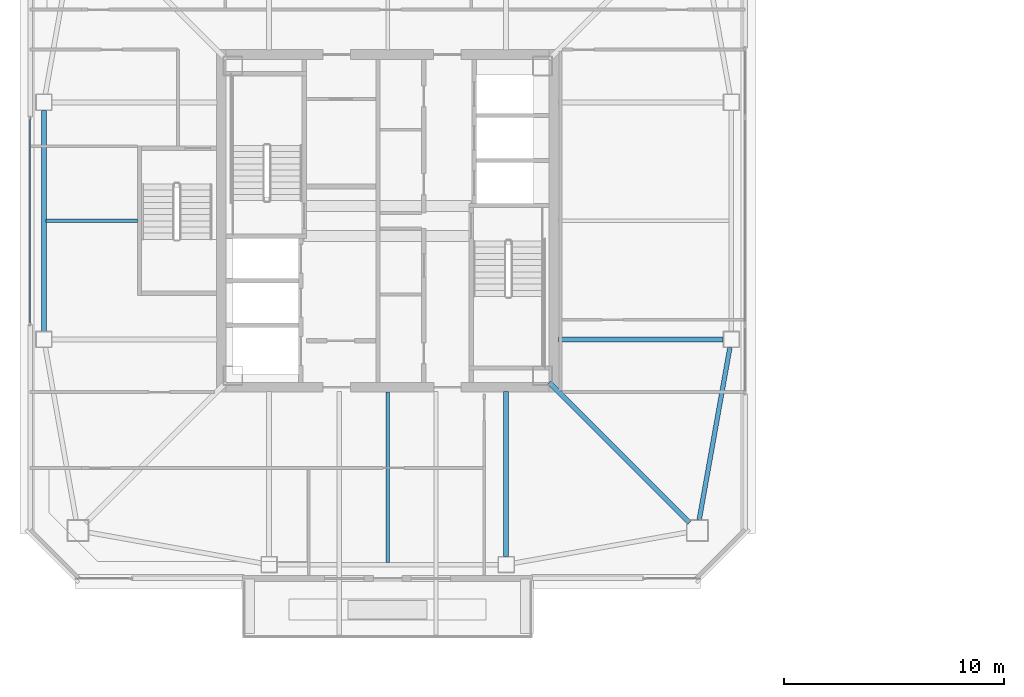
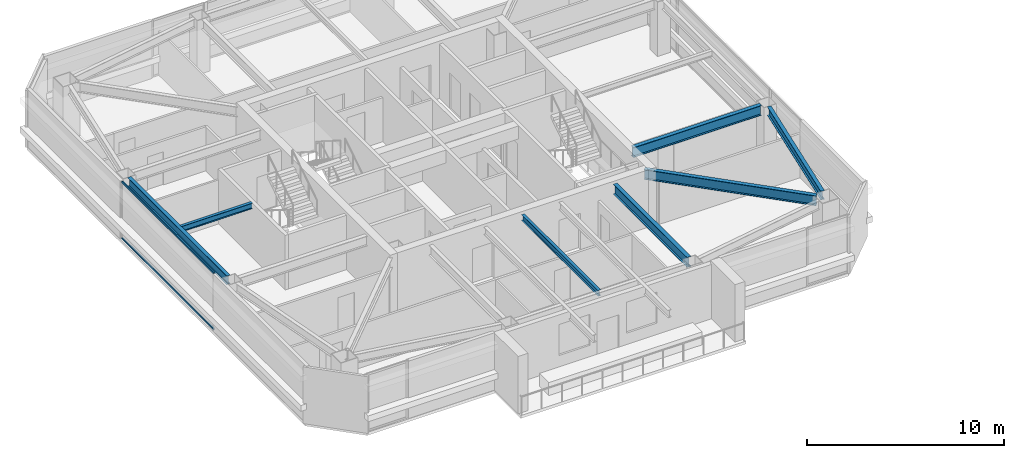
# One storey, part 8 of 40: 7 beams, 2 members, 1 element without a shape of its own.
"""IFC4 building model written with IfcOpenShell, lengths in metres."""

from ifc_helpers import new_model, si_unit, direction, frame, origin, origin_2d, place, context, subcontext, project, spatial, hollow_rectangle, i_section, extrude, material, material_profile, profile_set, type_object, element, aggregate, save


model = new_model("IFC4")

# Units and contexts
model_context = context("Model", 3, precision=1e-05, world=origin(), true_north=direction((0.0, 1.0)))
body_context = subcontext(model_context, "Body", "Model", "MODEL_VIEW")
ifc_project = project(units=[si_unit("LENGTHUNIT", "METRE"), si_unit("AREAUNIT", "SQUARE_METRE"), si_unit("VOLUMEUNIT", "CUBIC_METRE"), si_unit("PLANEANGLEUNIT", "RADIAN"), si_unit("MASSUNIT", "GRAM", prefix="KILO")], contexts=[model_context])

# Site, building, storey
site_placement = place(None, origin())
site = spatial("IfcSite", under=ifc_project, at=site_placement, CompositionType="ELEMENT")
building_placement = place(site_placement, origin())
building = spatial("IfcBuilding", under=site, at=building_placement, Name="Tashvorn Skyway Center", CompositionType="ELEMENT")
storey_placement = place(building_placement, frame((0.0, 0.0, 221.949951171875)))
storey = spatial("IfcBuildingStorey", under=building, at=storey_placement, Name="L60", CompositionType="ELEMENT", Elevation=221.949951171875)

# Beams
ifc_material_1 = material(Name="Steel ASTM A992 Grade 50", Category="steel")
ifc_material_profile_1 = material_profile(ifc_material_1, i_section(OverallWidth=0.22998046875, OverallDepth=0.616943359375, WebThickness=0.01318359375, FlangeThickness=0.022216796875, at=origin_2d()), Name="W24X94")
ifc_profile_set_1 = profile_set([ifc_material_profile_1], Name="Steel ASTM A992 Grade 50")
beam_type_1 = type_object("IfcBeamType", Name="BM-BEAM-W24X94", PredefinedType="BEAM", material=ifc_profile_set_1)
beam_1_placement = place(storey_placement, frame((55.75, 18.25, 3.0615234375), z_axis=(-0.707106781187, 0.707106781187, 0.0), x_axis=(-0.707106781187, -0.707106781187, 0.0)))
element("IfcBeam", 1, at=beam_1_placement, inside=storey, type_object=beam_type_1, Name="Tower 1 L60 Primary Floor Girder MC-SE", PredefinedType="BEAM", context=body_context, shape_type="SweptSolid", body=[
    extrude(i_section(OverallWidth=0.22998046875, OverallDepth=0.616943359375, WebThickness=0.01318359375, FlangeThickness=0.022216796875, at=origin_2d()), origin(), (0.0, 0.0, 1.0), 9.030029296875),
])
for number, where, z_axis, x_axis, name in (
    (2, (47.39990234375, 16.719970703125, 3.0615234375), (0.0, 1.0, 0.0), (-1.0, 0.0, 0.0), "Tower 1 L60 Primary Floor Girder FC-S2"),
    (3, (57.280029296875, 26.60009765625, 3.0615234375), (-1.0, 0.0, 0.0), (0.0, -1.0, 0.0), "Tower 1 L60 Primary Floor Girder FC-E1"),
):
    element("IfcBeam", number, at=place(storey_placement, frame(where, z_axis=z_axis, x_axis=x_axis)), inside=storey, type_object=beam_type_1, Name=name, PredefinedType="BEAM", context=body_context, shape_type="SweptSolid", body=[
        extrude(i_section(OverallWidth=0.22998046875, OverallDepth=0.616943359375, WebThickness=0.01318359375, FlangeThickness=0.022216796875, at=origin_2d()), origin(), (0.0, 0.0, 1.0), 7.5),
    ])
ifc_material_profile_2 = material_profile(ifc_material_1, i_section(OverallWidth=0.1708984375, OverallDepth=0.35498046875, WebThickness=0.007080078125, FlangeThickness=0.01171875, at=origin_2d()), Name="W14X34")
ifc_profile_set_2 = profile_set([ifc_material_profile_2], Name="Steel ASTM A992 Grade 50")
beam_type_2 = type_object("IfcBeamType", Name="BM-JOIST-W14X34", PredefinedType="JOIST", material=ifc_profile_set_2)
beam_2_placement = place(storey_placement, frame((42.0, 24.2099609375, 3.192626953125), z_axis=(0.0, -1.0, 0.0), x_axis=(1.0, 0.0, 0.0)))
element("IfcBeam", 4, at=beam_2_placement, inside=storey, type_object=beam_type_2, Name="Tower 1 L60 Secondary Composite Joist JS", PredefinedType="JOIST", context=body_context, shape_type="SweptSolid", body=[
    extrude(i_section(OverallWidth=0.1708984375, OverallDepth=0.35498046875, WebThickness=0.007080078125, FlangeThickness=0.01171875, at=origin_2d()), origin(), (0.0, 0.0, 1.0), 7.762451171875),
])
beam_3_placement = place(storey_placement, frame((30.610107421875, 32.0, 3.192626953125), z_axis=(-1.0, 0.0, 0.0), x_axis=(0.0, -1.0, 0.0)))
element("IfcBeam", 5, at=beam_3_placement, inside=storey, type_object=beam_type_2, Name="Tower 1 L60 Secondary Composite Joist JW", PredefinedType="JOIST", context=body_context, shape_type="SweptSolid", body=[
    extrude(i_section(OverallWidth=0.1708984375, OverallDepth=0.35498046875, WebThickness=0.007080078125, FlangeThickness=0.01171875, at=origin_2d()), origin(), (0.0, 0.0, 1.0), 4.16259765625),
])
ifc_material_profile_3 = material_profile(ifc_material_1, i_section(OverallWidth=0.2109375, OverallDepth=0.5390625, WebThickness=0.01171875, FlangeThickness=0.018798828125, at=origin_2d()), Name="W21X73")
ifc_profile_set_3 = profile_set([ifc_material_profile_3], Name="Steel ASTM A992 Grade 50")
beam_type_3 = type_object("IfcBeamType", Name="BM-SPANDREL-W21X73", PredefinedType="SPANDREL", material=ifc_profile_set_3)
beam_4_placement = place(storey_placement, frame((56.186767578125, 18.38720703125, 3.1005859375), z_axis=(0.17541329759, 0.984494883191, 0.0), x_axis=(-0.984494883191, 0.17541329759, 0.0)))
element("IfcBeam", 6, at=beam_4_placement, inside=storey, type_object=beam_type_3, Name="Tower 1 L60 Spandrel Beam 04", PredefinedType="SPANDREL", context=body_context, shape_type="SweptSolid", body=[
    extrude(i_section(OverallWidth=0.2109375, OverallDepth=0.5390625, WebThickness=0.01171875, FlangeThickness=0.018798828125, at=origin_2d()), origin(), (0.0, 0.0, 1.0), 7.97216796875),
])
beam_5_placement = place(storey_placement, frame((26.35009765625, 37.030029296875, 3.1005859375), z_axis=(0.0, -1.0, 0.0), x_axis=(1.0, 0.0, 0.0)))
element("IfcBeam", 7, at=beam_5_placement, inside=storey, type_object=beam_type_3, Name="Tower 1 L60 Spandrel Beam 11", PredefinedType="SPANDREL", context=body_context, shape_type="SweptSolid", body=[
    extrude(i_section(OverallWidth=0.2109375, OverallDepth=0.5390625, WebThickness=0.01171875, FlangeThickness=0.018798828125, at=origin_2d()), origin(), (0.0, 0.0, 1.0), 10.06005859375),
])

# Curtain wall, members
ifc_material_2 = material(Name="Thermally broken bronze-anodized aluminium 6063-T6", Category="aluminium")
curtain_wall_type = type_object("IfcCurtainWallType", Name="CW-CW-Z5", PredefinedType="NOTDEFINED", material=ifc_material_2)
curtain_wall_placement = place(storey_placement, origin())
curtain_wall = element("IfcCurtainWall", 8, at=curtain_wall_placement, inside=storey, type_object=curtain_wall_type, Name="Tower 1 L60 West Unitised Curtain Wall Glazing Group 1", PredefinedType="NOTDEFINED")
ifc_material_profile_4 = material_profile(ifc_material_2, hollow_rectangle(XDim=0.070068359375, YDim=0.114990234375, WallThickness=0.00390625, at=origin_2d()), Name="ALU-TRAN-70x115")
ifc_profile_set_4 = profile_set([ifc_material_profile_4], Name="Thermally broken bronze-anodized aluminium 6063-T6")
member_type = type_object("IfcMemberType", Name="CWT-CW-Z5", PredefinedType="USERDEFINED", material=ifc_profile_set_4)
member_1_placement = place(storey_placement, frame((25.719970703125, 27.34326171875, 0.03515625), z_axis=(0.0, 1.0, 0.0), x_axis=(-1.0, 0.0, 0.0)))
member_1 = element("IfcMember", 9, at=member_1_placement, type_object=member_type, Name="CW-Z5 transom 1.1", ObjectType="TRANSOM", PredefinedType="USERDEFINED", context=body_context, shape_type="SweptSolid", body=[
    extrude(hollow_rectangle(XDim=0.070068359375, YDim=0.114990234375, WallThickness=0.00390625, at=origin_2d()), origin(), (0.0, 0.0, 1.0), 9.3134765625),
])
member_2_placement = place(storey_placement, frame((25.719970703125, 27.34326171875, 3.51513671875), z_axis=(0.0, 1.0, 0.0), x_axis=(-1.0, 0.0, 0.0)))
member_2 = element("IfcMember", 10, at=member_2_placement, type_object=member_type, Name="CW-Z5 transom 1.2", ObjectType="TRANSOM", PredefinedType="USERDEFINED", context=body_context, shape_type="SweptSolid", body=[
    extrude(hollow_rectangle(XDim=0.070068359375, YDim=0.114990234375, WallThickness=0.00390625, at=origin_2d()), origin(), (0.0, 0.0, 1.0), 9.3134765625),
])
aggregate(curtain_wall, [member_1, member_2])

save(model, "model.ifc")
